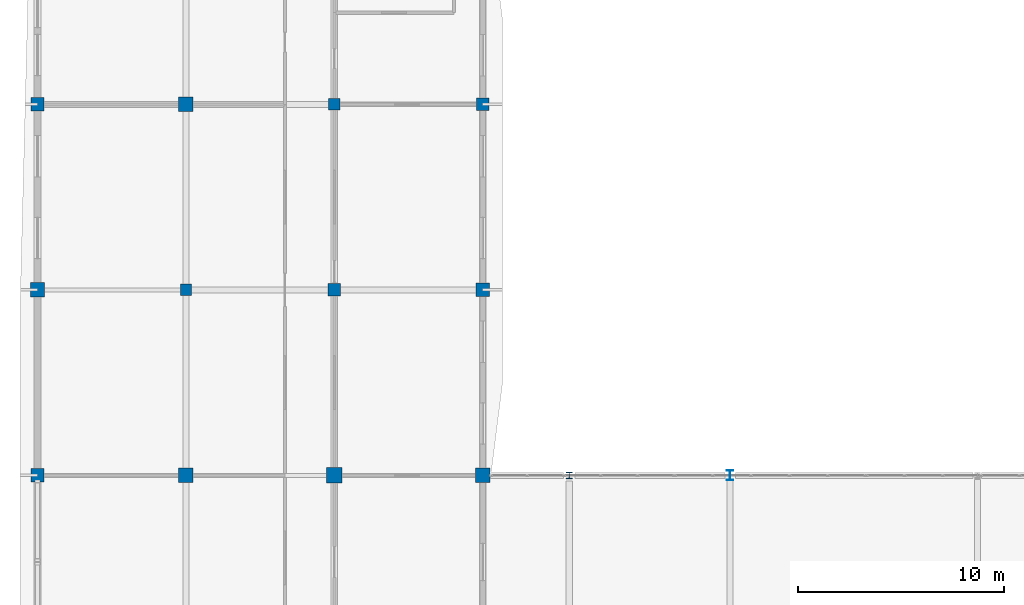
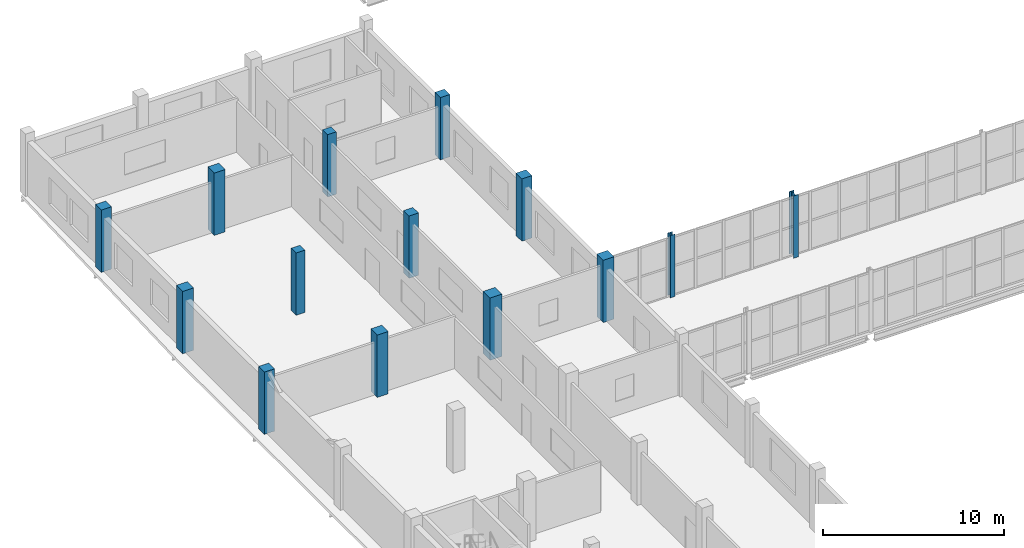
# One storey, part 17 of 121: 14 columns.
"""IFC4 building model written with IfcOpenShell, lengths in metres."""

import ifcopenshell
import ifcopenshell.guid

model = None  # the IFC model being written
_history = None  # IfcOwnerHistory: only IFC2X3 demands one
_inside = {}  # id of a spatial element -> (the spatial element, [elements in it])
_under = {}  # id of a project, library or spatial element -> (it, [spatial elements below it])
_declared = {}  # id of a project -> (the project, [libraries it declares])
_typed = {}  # id of a type object -> (the type object, [elements of that type])
_made_of = {}  # id of a material, layer set ... -> (it, [elements and type objects made of it])


def new_model(schema):
    """Start an empty IFC model of exactly this schema.

    Asked for "IFC4X3", IfcOpenShell would pick the latest addendum, in which some entities
    have other attributes; the version numbers below select the first issue.
    IFC2X3 requires an IfcOwnerHistory on every rooted entity: one is made here for all.
    """
    global model, _history
    if schema == "IFC4X3":
        model = ifcopenshell.file(schema_version=(4, 3, 0, 0))
    else:
        model = ifcopenshell.file(schema=schema)
    _inside.clear()
    _under.clear()
    _declared.clear()
    _typed.clear()
    _made_of.clear()
    _history = None
    if model.schema == "IFC2X3":
        org = make("IfcOrganization", Name="unknown")
        user = make(
            "IfcPersonAndOrganization",
            ThePerson=make("IfcPerson", FamilyName="unknown"),
            TheOrganization=org,
        )
        app = make(
            "IfcApplication",
            ApplicationDeveloper=org,
            Version="unknown",
            ApplicationFullName="unknown",
            ApplicationIdentifier="unknown",
        )
        _history = make(
            "IfcOwnerHistory",
            OwningUser=user,
            OwningApplication=app,
            ChangeAction="ADDED",
            CreationDate=0,
        )
    return model


def make(cls, **values):
    """One entity of the class cls with the attributes given. An attribute that is None is left unset."""
    return model.create_entity(
        cls, **{name: value for name, value in values.items() if value is not None}
    )


def rooted(cls, **values):
    """An entity with a GlobalId (a new one), such as an element, a storey or a relation."""
    return make(cls, GlobalId=ifcopenshell.guid.new(), OwnerHistory=_history, **values)


def si_unit(unit_type, name, prefix=None):
    """IfcSIUnit, for example si_unit("LENGTHUNIT", "METRE", prefix="MILLI")."""
    return make("IfcSIUnit", UnitType=unit_type, Prefix=prefix, Name=name)


def assignment(units):
    """IfcUnitAssignment: the units of a project."""
    return None if units is None else make("IfcUnitAssignment", Units=units)


def point(xyz):
    """IfcCartesianPoint."""
    return None if xyz is None else make("IfcCartesianPoint", Coordinates=xyz)


def direction(xyz):
    """IfcDirection."""
    return None if xyz is None else make("IfcDirection", DirectionRatios=xyz)


def frame(location, z_axis=None, x_axis=None):
    """IfcAxis2Placement3D, a coordinate frame: its origin and axes. An axis left out is left unset."""
    return make(
        "IfcAxis2Placement3D",
        Location=point(location),
        Axis=direction(z_axis),
        RefDirection=direction(x_axis),
    )


def frame_2d(location, x_axis=None):
    """IfcAxis2Placement2D, a coordinate frame in the plane: its origin and x axis."""
    return make(
        "IfcAxis2Placement2D", Location=point(location), RefDirection=direction(x_axis)
    )


def origin():
    """The frame at (0, 0, 0) with its axes left unset."""
    return frame((0.0, 0.0, 0.0))


def origin_2d():
    """The frame at (0, 0) in the plane with its x axis left unset."""
    return frame_2d((0.0, 0.0))


def place(relative_to, where):
    """IfcLocalPlacement: puts the frame where relative to a parent placement (None: the world)."""
    return make(
        "IfcLocalPlacement", PlacementRelTo=relative_to, RelativePlacement=where
    )


def context(
    kind, dimensions, precision=None, world=None, true_north=None, identifier=None
):
    """IfcGeometricRepresentationContext, for example the 3D "Model" context."""
    return make(
        "IfcGeometricRepresentationContext",
        ContextIdentifier=identifier,
        ContextType=kind,
        CoordinateSpaceDimension=dimensions,
        Precision=precision,
        WorldCoordinateSystem=world,
        TrueNorth=true_north,
    )


def subcontext(parent, identifier, kind, view, scale=None):
    """IfcGeometricRepresentationSubContext, for example "Body" below "Model"."""
    return make(
        "IfcGeometricRepresentationSubContext",
        ContextIdentifier=identifier,
        ContextType=kind,
        ParentContext=parent,
        TargetScale=scale,
        TargetView=view,
    )


def project(units=None, contexts=None):
    """IfcProject with its units and contexts."""
    return rooted(
        "IfcProject",
        Name="project",
        RepresentationContexts=contexts,
        UnitsInContext=assignment(units),
    )


def spatial(cls, under=None, at=None, **own):
    """A site, building, storey or space (cls), placed at a placement, below another one or the project."""
    s = rooted(cls, ObjectPlacement=at, **own)
    if under is not None:
        _under.setdefault(under.id(), (under, []))[1].append(s)
    return s


def profile(cls, at=None, kind="AREA", **sizes):
    """A parametric profile (cls). Its sizes go by their IFC names, for example OverallWidth=200.0."""
    return make(cls, ProfileType=kind, Position=at, **sizes)


def rectangle(**sizes):
    """IfcRectangleProfileDef."""
    return profile("IfcRectangleProfileDef", **sizes)


def i_section(**sizes):
    """IfcIShapeProfileDef."""
    return profile("IfcIShapeProfileDef", **sizes)


def extrude(swept, where, along, depth):
    """IfcExtrudedAreaSolid: the profile swept, set in the frame where, extruded along a direction by depth."""
    return make(
        "IfcExtrudedAreaSolid",
        SweptArea=swept,
        Position=where,
        ExtrudedDirection=direction(along),
        Depth=depth,
    )


def shape(context_of_items, identifier, shape_type, items):
    """IfcShapeRepresentation: the items that make up one representation, for example the "Body"."""
    return make(
        "IfcShapeRepresentation",
        ContextOfItems=context_of_items,
        RepresentationIdentifier=identifier,
        RepresentationType=shape_type,
        Items=items,
    )


def material(Name=None, Category=None):
    """IfcMaterial."""
    return make("IfcMaterial", Name=Name, Category=Category)


def material_profile(
    of_material, cross_section, Name=None, Category=None, Priority=None
):
    """IfcMaterialProfile: a cross section and its material."""
    return make(
        "IfcMaterialProfile",
        Name=Name,
        Material=of_material,
        Profile=cross_section,
        Priority=Priority,
        Category=Category,
    )


def profile_set(profiles, Name=None, composite=None):
    """IfcMaterialProfileSet."""
    return make(
        "IfcMaterialProfileSet",
        Name=Name,
        MaterialProfiles=profiles,
        CompositeProfile=composite,
    )


def made_of(thing, what):
    """Note that an element or type object is made of a material, layer set ...; save() writes the relation."""
    if what is not None:
        _made_of.setdefault(what.id(), (what, []))[1].append(thing)
    return thing


def type_object(cls, material=None, **own):
    """A type object (cls), such as IfcWallType, which elements share."""
    return made_of(rooted(cls, **own), material)


def element(
    cls,
    number,
    at=None,
    inside=None,
    cuts=None,
    type_object=None,
    material=None,
    context=None,
    identifier="Body",
    shape_type=None,
    held_by="IfcProductDefinitionShape",
    body=None,
    shapes=None,
    **own,
):
    """One element of the class cls, such as IfcWall. Its Tag is "e" and its number.

    at: its placement. inside: the storey or other place that contains it. cuts: it is an
    opening in that element (IfcRelVoidsElement). A single representation is given by context,
    identifier, shape_type and body (its items); several are given by shapes. held_by: the class
    of the entity that holds the representations. save() writes the other relations.
    """
    e = rooted(cls, Tag="e%d" % number, ObjectPlacement=at, **own)
    if body is not None:
        shapes = [shape(context, identifier, shape_type, body)]
    if shapes is not None:
        e.Representation = make(held_by, Representations=shapes)
    if inside is not None:
        _inside.setdefault(inside.id(), (inside, []))[1].append(e)
    if cuts is not None:
        rooted(
            "IfcRelVoidsElement", RelatingBuildingElement=cuts, RelatedOpeningElement=e
        )
    if type_object is not None:
        _typed.setdefault(type_object.id(), (type_object, []))[1].append(e)
    return made_of(e, material)


def aggregate(whole, parts):
    """IfcRelAggregates: a whole, such as a stair, and the parts it consists of."""
    return rooted("IfcRelAggregates", RelatingObject=whole, RelatedObjects=parts)


def save(model, path):
    """Write the relations noted so far, then the file.

    IfcRelAggregates (storeys below a building ...), IfcRelContainedInSpatialStructure (elements
    in a storey), IfcRelDefinesByType, IfcRelAssociatesMaterial and IfcRelDeclares: one each for
    every whole, place, type object, material and project.
    """
    for whole, parts in _under.values():
        aggregate(whole, parts)
    for where, things in _inside.values():
        rooted(
            "IfcRelContainedInSpatialStructure",
            RelatedElements=things,
            RelatingStructure=where,
        )
    for kind, things in _typed.values():
        rooted("IfcRelDefinesByType", RelatedObjects=things, RelatingType=kind)
    for what, things in _made_of.values():
        rooted("IfcRelAssociatesMaterial", RelatedObjects=things, RelatingMaterial=what)
    for by, libraries in _declared.values():
        rooted("IfcRelDeclares", RelatingContext=by, RelatedDefinitions=libraries)
    model.write(path)


model = new_model("IFC4")

# Units and contexts
model_context = context("Model", 3, precision=1e-05, world=origin(), true_north=direction((0.0, 1.0)))
body_context = subcontext(model_context, "Body", "Model", "MODEL_VIEW")
ifc_project = project(units=[si_unit("LENGTHUNIT", "METRE"), si_unit("AREAUNIT", "SQUARE_METRE"), si_unit("VOLUMEUNIT", "CUBIC_METRE"), si_unit("PLANEANGLEUNIT", "RADIAN"), si_unit("MASSUNIT", "GRAM", prefix="KILO")], contexts=[model_context])

# Site, building, storey
site_placement = place(None, origin())
site = spatial("IfcSite", under=ifc_project, at=site_placement, CompositionType="ELEMENT")
building_placement = place(site_placement, origin())
building = spatial("IfcBuilding", under=site, at=building_placement, Name="Vinh Khe Railworks Police Headquarters", CompositionType="ELEMENT")
storey_placement = place(building_placement, frame((0.0, 0.0, 4.800048828125)))
storey = spatial("IfcBuildingStorey", under=building, at=storey_placement, Name="L01", CompositionType="ELEMENT", Elevation=4.800048828125)

# Columns
ifc_material_1 = material(Name="Concrete C40/50 (B40)", Category="concrete")
ifc_material_profile_1 = material_profile(ifc_material_1, rectangle(XDim=0.550048828125, YDim=0.550048828125, at=origin_2d()), Name="RC 550x550")
ifc_profile_set_1 = profile_set([ifc_material_profile_1], Name="Concrete C40/50 (B40)")
column_type_1 = type_object("IfcColumnType", Name="RC Column RC 550x550", PredefinedType="COLUMN", material=ifc_profile_set_1)
for number, where, z_axis, x_axis, name in (
    (1, (7.800048828125, 113.39990234375, 0.0), (0.0, 0.0, 1.0), (1.0, 0.0, 0.0), "Column COL-L01-CC-06-0316"),
    (2, (15.0, 122.39990234375, 0.0), (0.0, 0.0, 1.0), (1.0, 0.0, 0.0), "Column COL-L01-CC-06-0490"),
):
    element("IfcColumn", number, at=place(storey_placement, frame(where, z_axis=z_axis, x_axis=x_axis)), inside=storey, type_object=column_type_1, Name=name, PredefinedType="COLUMN", context=body_context, shape_type="SweptSolid", body=[
        extrude(rectangle(XDim=0.550048828125, YDim=0.550048828125, at=origin_2d()), origin(), (0.0, 0.0, 1.0), 4.199951171875),
    ])
ifc_material_profile_2 = material_profile(ifc_material_1, rectangle(XDim=0.60009765625, YDim=0.60009765625, at=origin_2d()), Name="RC 600x600")
ifc_profile_set_2 = profile_set([ifc_material_profile_2], Name="Concrete C40/50 (B40)")
column_type_2 = type_object("IfcColumnType", Name="RC Column RC 600x600", PredefinedType="COLUMN", material=ifc_profile_set_2)
for number, where, z_axis, x_axis, name in (
    (3, (15.0, 113.39990234375, 0.0), (0.0, 0.0, 1.0), (1.0, 0.0, 0.0), "Column COL-L01-CC-05-0483"),
    (4, (22.199951171875, 122.39990234375, 0.0), (0.0, 0.0, 1.0), (1.0, 0.0, 0.0), "Column COL-L01-CC-05-0643"),
):
    element("IfcColumn", number, at=place(storey_placement, frame(where, z_axis=z_axis, x_axis=x_axis)), inside=storey, type_object=column_type_2, Name=name, PredefinedType="COLUMN", context=body_context, shape_type="SweptSolid", body=[
        extrude(rectangle(XDim=0.60009765625, YDim=0.60009765625, at=origin_2d()), origin(), (0.0, 0.0, 1.0), 4.199951171875),
    ])
ifc_material_profile_3 = material_profile(ifc_material_1, rectangle(XDim=0.64990234375, YDim=0.64990234375, at=origin_2d()), Name="RC 650x650")
ifc_profile_set_3 = profile_set([ifc_material_profile_3], Name="Concrete C40/50 (B40)")
column_type_3 = type_object("IfcColumnType", Name="RC Column RC 650x650", PredefinedType="COLUMN", material=ifc_profile_set_3)
for number, where, z_axis, x_axis, name in (
    (5, (0.60009765625, 104.39990234375, 0.0), (0.0, 0.0, 1.0), (1.0, 0.0, 0.0), "Column COL-L01-CC-04-0139"),
    (6, (0.60009765625, 122.39990234375, 0.0), (0.0, 0.0, 1.0), (1.0, 0.0, 0.0), "Column COL-L01-CC-04-0156"),
    (7, (22.199951171875, 113.39990234375, 0.0), (0.0, 0.0, 1.0), (1.0, 0.0, 0.0), "Column COL-L01-CC-04-0636"),
):
    element("IfcColumn", number, at=place(storey_placement, frame(where, z_axis=z_axis, x_axis=x_axis)), inside=storey, type_object=column_type_3, Name=name, PredefinedType="COLUMN", context=body_context, shape_type="SweptSolid", body=[
        extrude(rectangle(XDim=0.64990234375, YDim=0.64990234375, at=origin_2d()), origin(), (0.0, 0.0, 1.0), 4.199951171875),
    ])
ifc_material_profile_4 = material_profile(ifc_material_1, rectangle(XDim=0.699951171875, YDim=0.699951171875, at=origin_2d()), Name="RC 700x700")
ifc_profile_set_4 = profile_set([ifc_material_profile_4], Name="Concrete C40/50 (B40)")
column_type_4 = type_object("IfcColumnType", Name="RC Column RC 700x700", PredefinedType="COLUMN", material=ifc_profile_set_4)
for number, where, z_axis, x_axis, name in (
    (8, (0.60009765625, 113.39990234375, 0.0), (0.0, 0.0, 1.0), (1.0, 0.0, 0.0), "Column COL-L01-CC-03-0149"),
    (9, (7.800048828125, 104.39990234375, 0.0), (0.0, 0.0, 1.0), (1.0, 0.0, 0.0), "Column COL-L01-CC-03-0306"),
    (10, (7.800048828125, 122.39990234375, 0.0), (0.0, 0.0, 1.0), (1.0, 0.0, 0.0), "Column COL-L01-CC-03-0323"),
    (11, (22.199951171875, 104.39990234375, 0.0), (0.0, 0.0, 1.0), (1.0, 0.0, 0.0), "Column COL-L01-CC-03-0627"),
):
    element("IfcColumn", number, at=place(storey_placement, frame(where, z_axis=z_axis, x_axis=x_axis)), inside=storey, type_object=column_type_4, Name=name, PredefinedType="COLUMN", context=body_context, shape_type="SweptSolid", body=[
        extrude(rectangle(XDim=0.699951171875, YDim=0.699951171875, at=origin_2d()), origin(), (0.0, 0.0, 1.0), 4.199951171875),
    ])
ifc_material_profile_5 = material_profile(ifc_material_1, rectangle(XDim=0.75, YDim=0.75, at=origin_2d()), Name="RC 750x750")
ifc_profile_set_5 = profile_set([ifc_material_profile_5], Name="Concrete C40/50 (B40)")
column_type_5 = type_object("IfcColumnType", Name="RC Column RC 750x750", PredefinedType="COLUMN", material=ifc_profile_set_5)
column_1_placement = place(storey_placement, frame((15.0, 104.39990234375, 0.0), z_axis=(0.0, 0.0, 1.0), x_axis=(1.0, 0.0, 0.0)))
element("IfcColumn", 12, at=column_1_placement, inside=storey, type_object=column_type_5, Name="Column COL-L01-CC-02-0473", PredefinedType="COLUMN", context=body_context, shape_type="SweptSolid", body=[
    extrude(rectangle(XDim=0.75, YDim=0.75, at=origin_2d()), origin(), (0.0, 0.0, 1.0), 4.199951171875),
])
ifc_material_2 = material(Name="Steel S355JR", Category="steel")
ifc_material_profile_6 = material_profile(ifc_material_2, i_section(OverallWidth=0.300048828125, OverallDepth=0.489990234375, WebThickness=0.011962890625, FlangeThickness=0.02294921875, FilletRadius=0.027099609375, at=origin_2d()), Name="HEA 500")
ifc_profile_set_6 = profile_set([ifc_material_profile_6], Name="Steel S355JR")
column_type_6 = type_object("IfcColumnType", Name="Steel Column HEA 500", PredefinedType="COLUMN", material=ifc_profile_set_6)
column_2_placement = place(storey_placement, frame((34.199951171875, 104.39990234375, 0.0), z_axis=(0.0, 0.0, 1.0), x_axis=(1.0, 0.0, 0.0)))
element("IfcColumn", 13, at=column_2_placement, inside=storey, type_object=column_type_6, Name="Column COL-L01-SC-13-0814", PredefinedType="COLUMN", context=body_context, shape_type="SweptSolid", body=[
    extrude(i_section(OverallWidth=0.300048828125, OverallDepth=0.489990234375, WebThickness=0.011962890625, FlangeThickness=0.02294921875, FilletRadius=0.027099609375, at=origin_2d()), origin(), (0.0, 0.0, 1.0), 4.199951171875),
])
ifc_material_profile_7 = material_profile(ifc_material_2, i_section(OverallWidth=0.300048828125, OverallDepth=0.300048828125, WebThickness=0.010986328125, FlangeThickness=0.01904296875, FilletRadius=0.027099609375, at=origin_2d()), Name="HEB 300")
ifc_profile_set_7 = profile_set([ifc_material_profile_7], Name="Steel S355JR")
column_type_7 = type_object("IfcColumnType", Name="Steel Column HEB 300", PredefinedType="COLUMN", material=ifc_profile_set_7)
column_3_placement = place(storey_placement, frame((26.39990234375, 104.39990234375, 0.0), z_axis=(0.0, 0.0, 1.0), x_axis=(1.0, 0.0, 0.0)))
element("IfcColumn", 14, at=column_3_placement, inside=storey, type_object=column_type_7, Name="Column COL-L01-SC-11-0768", PredefinedType="COLUMN", context=body_context, shape_type="SweptSolid", body=[
    extrude(i_section(OverallWidth=0.300048828125, OverallDepth=0.300048828125, WebThickness=0.010986328125, FlangeThickness=0.01904296875, FilletRadius=0.027099609375, at=origin_2d()), origin(), (0.0, 0.0, 1.0), 4.199951171875),
])

save(model, "model.ifc")
